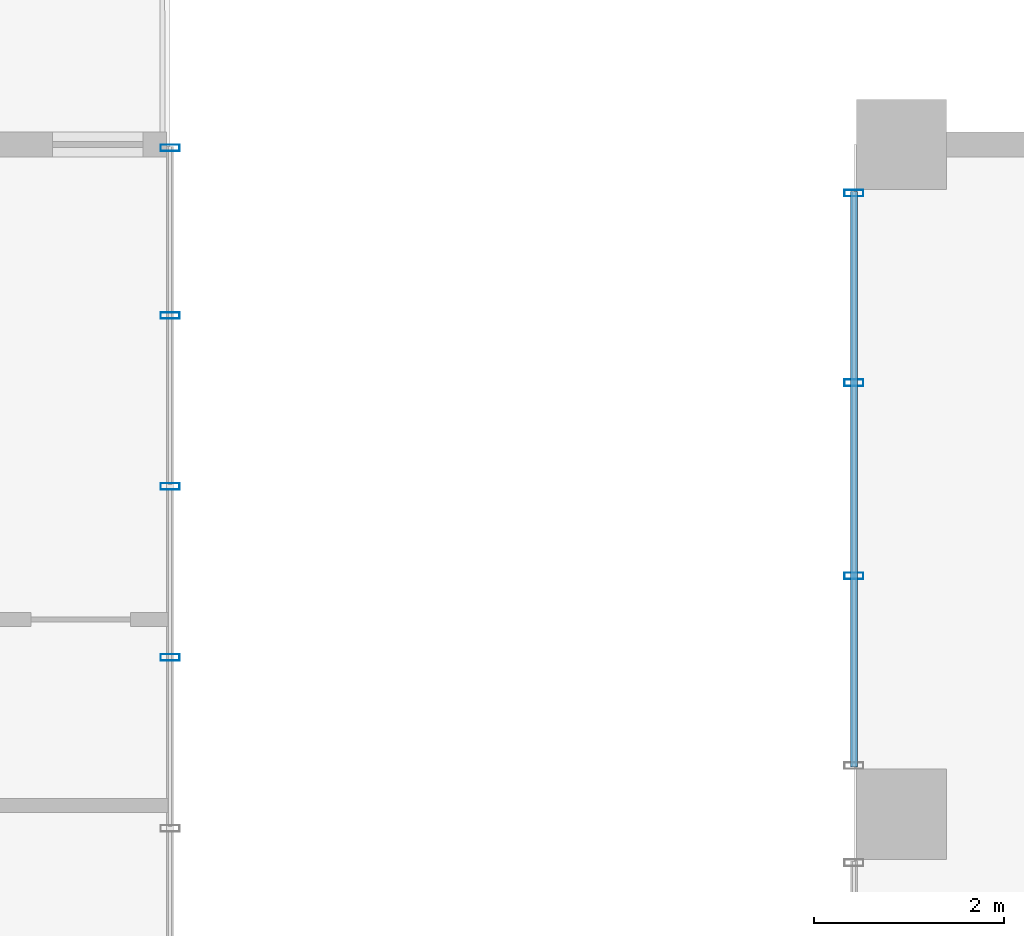
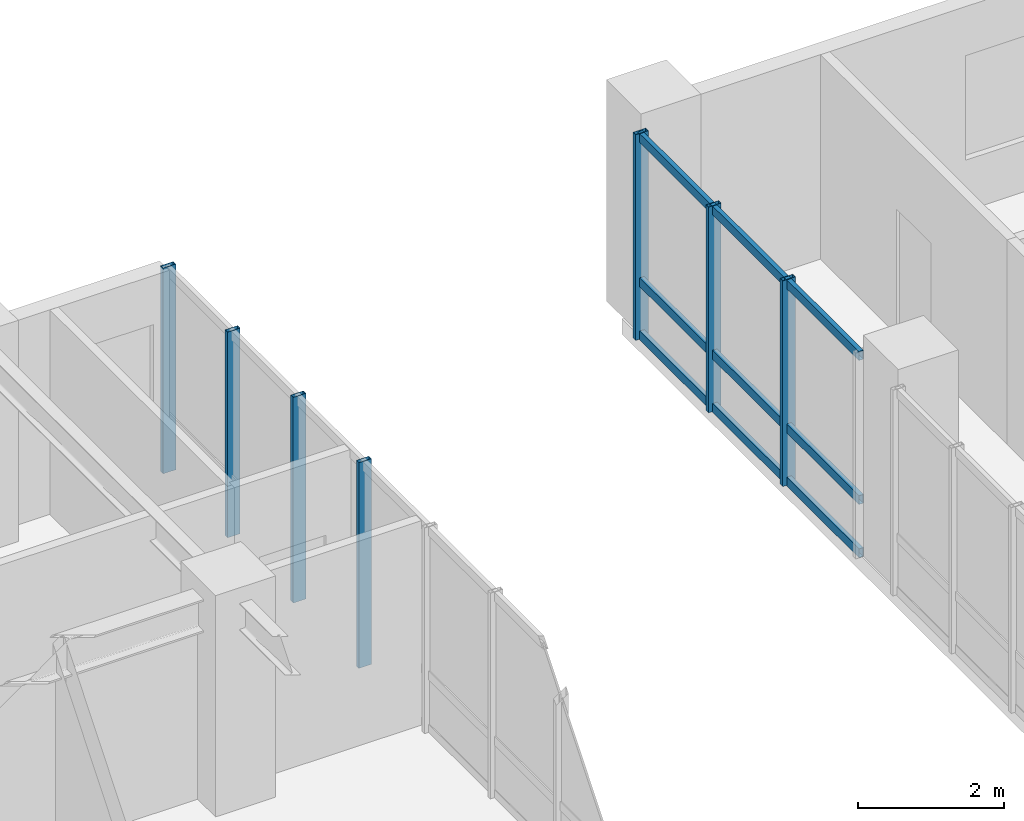
# One storey, part 14 of 24: 10 members, 2 elements without a shape of their own.
"""IFC4 building model written with IfcOpenShell, lengths in metres."""

from ifc_helpers import new_model, si_unit, direction, frame, origin, origin_2d, place, context, subcontext, project, spatial, hollow_rectangle, extrude, source, transform, mapped, material, layer, layer_set, material_profile, profile_set, type_object, element, aggregate, save


model = new_model("IFC4")

# Units and contexts
model_context = context("Model", 3, precision=1e-05, world=origin(), true_north=direction((0.0, 1.0)))
body_context = subcontext(model_context, "Body", "Model", "MODEL_VIEW")
ifc_project = project(units=[si_unit("LENGTHUNIT", "METRE"), si_unit("AREAUNIT", "SQUARE_METRE"), si_unit("VOLUMEUNIT", "CUBIC_METRE"), si_unit("PLANEANGLEUNIT", "RADIAN"), si_unit("MASSUNIT", "GRAM", prefix="KILO")], contexts=[model_context])

# Site, building, storey
site_placement = place(None, origin())
site = spatial("IfcSite", under=ifc_project, at=site_placement, CompositionType="ELEMENT")
building_placement = place(site_placement, origin())
building = spatial("IfcBuilding", under=site, at=building_placement, Name="Kaliganga Portal Commons", CompositionType="ELEMENT")
storey_placement = place(building_placement, frame((0.0, 0.0, 235.10009765625)))
storey = spatial("IfcBuildingStorey", under=building, at=storey_placement, Name="L60", CompositionType="ELEMENT", Elevation=235.10009765625)

# Curtain wall, members
ifc_material_1 = material(Name="Anodized Aluminium and Laminated Low-E Glass", Category="aluminium")
ifc_layer = layer(ifc_material_1, 0.239990234375)
ifc_layer_set = layer_set([ifc_layer], Name="Anodized Aluminium and Laminated Low-E Glass")
curtain_wall_type = type_object("IfcCurtainWallType", Name="CW-SYS-04", PredefinedType="NOTDEFINED", material=ifc_layer_set)
curtain_wall_1_placement = place(storey_placement, origin())
curtain_wall_1 = element("IfcCurtainWall", 1, at=curtain_wall_1_placement, inside=storey, type_object=curtain_wall_type, Name="CW 04 L60 P1E01S1", PredefinedType="NOTDEFINED")
ifc_material_2 = material(Name="Dark Bronze Anodized Aluminium", Category="aluminium")
ifc_material_profile_1 = material_profile(ifc_material_2, hollow_rectangle(XDim=0.070068359375, YDim=0.199951171875, WallThickness=0.00390625, at=origin_2d()), Name="ALU MULL 70x200x4")
ifc_profile_set_1 = profile_set([ifc_material_profile_1], Name="Dark Bronze Anodized Aluminium")
member_type_1 = type_object("IfcMemberType", Name="CW-MUL-220", PredefinedType="MULLION", material=ifc_profile_set_1)
shared_shape_1 = source(origin(), body_context, "Body", "SweptSolid", [
    extrude(hollow_rectangle(XDim=0.070068359375, YDim=0.199951171875, WallThickness=0.00390625, at=origin_2d()), origin(), (0.0, 0.0, 1.0), 3.43994140625),
])
member_1_placement = place(storey_placement, frame((39.10009765625, 37.800048828125, 0.0), z_axis=(0.0, 0.0, 1.0), x_axis=(0.0, 1.0, 0.0)))
member_1 = element("IfcMember", 2, at=member_1_placement, type_object=member_type_1, Name="CW:04:L60:P1E01S1 Mullion 09", PredefinedType="MULLION", context=body_context, shape_type="MappedRepresentation", body=[
    mapped(shared_shape_1, transform((0.0, 0.0, 0.0), x_axis=(1.0, 0.0, 0.0), y_axis=(0.0, 1.0, 0.0), z_axis=(0.0, 0.0, 1.0), scale=1.0)),
])
member_2_placement = place(storey_placement, frame((39.10009765625, 39.60009765625, 0.0), z_axis=(0.0, 0.0, 1.0), x_axis=(0.0, 1.0, 0.0)))
member_2 = element("IfcMember", 3, at=member_2_placement, type_object=member_type_1, Name="CW:04:L60:P1E01S1 Mullion 10", PredefinedType="MULLION", context=body_context, shape_type="MappedRepresentation", body=[
    mapped(shared_shape_1, transform((0.0, 0.0, 0.0), x_axis=(1.0, 0.0, 0.0), y_axis=(0.0, 1.0, 0.0), z_axis=(0.0, 0.0, 1.0), scale=1.0)),
])
member_3_placement = place(storey_placement, frame((39.10009765625, 41.39990234375, 0.0), z_axis=(0.0, 0.0, 1.0), x_axis=(0.0, 1.0, 0.0)))
member_3 = element("IfcMember", 4, at=member_3_placement, type_object=member_type_1, Name="CW:04:L60:P1E01S1 Mullion 11", PredefinedType="MULLION", context=body_context, shape_type="MappedRepresentation", body=[
    mapped(shared_shape_1, transform((0.0, 0.0, 0.0), x_axis=(1.0, 0.0, 0.0), y_axis=(0.0, 1.0, 0.0), z_axis=(0.0, 0.0, 1.0), scale=1.0)),
])
member_4_placement = place(storey_placement, frame((39.10009765625, 43.1650390625, 0.0), z_axis=(0.0, 0.0, 1.0), x_axis=(0.0, 1.0, 0.0)))
member_4 = element("IfcMember", 5, at=member_4_placement, type_object=member_type_1, Name="CW:04:L60:P1E01S1 Mullion 12", PredefinedType="MULLION", context=body_context, shape_type="MappedRepresentation", body=[
    mapped(shared_shape_1, transform((0.0, 0.0, 0.0), x_axis=(1.0, 0.0, 0.0), y_axis=(0.0, 1.0, 0.0), z_axis=(0.0, 0.0, 1.0), scale=1.0)),
])
aggregate(curtain_wall_1, [member_1, member_2, member_3, member_4])

curtain_wall_2_placement = place(storey_placement, origin())
curtain_wall_2 = element("IfcCurtainWall", 6, at=curtain_wall_2_placement, inside=storey, type_object=curtain_wall_type, Name="CW 04 L60 P2E03S1", PredefinedType="NOTDEFINED")
member_5_placement = place(storey_placement, frame((46.300048828125, 42.68896484375, 0.0), z_axis=(0.0, 0.0, 1.0), x_axis=(0.0, -1.0, 0.0)))
member_5 = element("IfcMember", 7, at=member_5_placement, type_object=member_type_1, Name="CW:04:L60:P2E03S1 Mullion 00", PredefinedType="MULLION", context=body_context, shape_type="MappedRepresentation", body=[
    mapped(shared_shape_1, transform((0.0, 0.0, 0.0), x_axis=(1.0, 0.0, 0.0), y_axis=(0.0, 1.0, 0.0), z_axis=(0.0, 0.0, 1.0), scale=1.0)),
])
member_6_placement = place(storey_placement, frame((46.300048828125, 40.69140625, 0.0), z_axis=(0.0, 0.0, 1.0), x_axis=(0.0, -1.0, 0.0)))
member_6 = element("IfcMember", 8, at=member_6_placement, type_object=member_type_1, Name="CW:04:L60:P2E03S1 Mullion 01", PredefinedType="MULLION", context=body_context, shape_type="MappedRepresentation", body=[
    mapped(shared_shape_1, transform((0.0, 0.0, 0.0), x_axis=(1.0, 0.0, 0.0), y_axis=(0.0, 1.0, 0.0), z_axis=(0.0, 0.0, 1.0), scale=1.0)),
])
member_7_placement = place(storey_placement, frame((46.300048828125, 38.65869140625, 0.0), z_axis=(0.0, 0.0, 1.0), x_axis=(0.0, -1.0, 0.0)))
member_7 = element("IfcMember", 9, at=member_7_placement, type_object=member_type_1, Name="CW:04:L60:P2E03S1 Mullion 02", PredefinedType="MULLION", context=body_context, shape_type="MappedRepresentation", body=[
    mapped(shared_shape_1, transform((0.0, 0.0, 0.0), x_axis=(1.0, 0.0, 0.0), y_axis=(0.0, 1.0, 0.0), z_axis=(0.0, 0.0, 1.0), scale=1.0)),
])
ifc_material_profile_2 = material_profile(ifc_material_2, hollow_rectangle(XDim=0.070068359375, YDim=0.14990234375, WallThickness=0.00341796875, at=origin_2d()), Name="ALU TRAN 70x150x3.5")
ifc_profile_set_2 = profile_set([ifc_material_profile_2], Name="Dark Bronze Anodized Aluminium")
member_type_2 = type_object("IfcMemberType", Name="CW-TRN-150", PredefinedType="USERDEFINED", material=ifc_profile_set_2)
shared_shape_2 = source(origin(), body_context, "Body", "SweptSolid", [
    extrude(hollow_rectangle(XDim=0.070068359375, YDim=0.14990234375, WallThickness=0.00341796875, at=origin_2d()), origin(), (0.0, 0.0, 1.0), 6.05810546875),
])
member_8_placement = place(storey_placement, frame((46.300048828125, 42.7041015625, 0.059814453125), z_axis=(0.0, -1.0, 0.0), x_axis=(1.0, 0.0, 0.0)))
member_8 = element("IfcMember", 10, at=member_8_placement, type_object=member_type_2, Name="CW:04:L60:P2E03S1 Transom 1", ObjectType="TRANSOM", PredefinedType="USERDEFINED", context=body_context, shape_type="MappedRepresentation", body=[
    mapped(shared_shape_2, transform((0.0, 0.0, 0.0), x_axis=(1.0, 0.0, 0.0), y_axis=(0.0, 1.0, 0.0), z_axis=(0.0, 0.0, 1.0), scale=1.0)),
])
member_9_placement = place(storey_placement, frame((46.300048828125, 42.7041015625, 0.949951171875), z_axis=(0.0, -1.0, 0.0), x_axis=(1.0, 0.0, 0.0)))
member_9 = element("IfcMember", 11, at=member_9_placement, type_object=member_type_2, Name="CW:04:L60:P2E03S1 Transom 2", ObjectType="TRANSOM", PredefinedType="USERDEFINED", context=body_context, shape_type="MappedRepresentation", body=[
    mapped(shared_shape_2, transform((0.0, 0.0, 0.0), x_axis=(1.0, 0.0, 0.0), y_axis=(0.0, 1.0, 0.0), z_axis=(0.0, 0.0, 1.0), scale=1.0)),
])
member_10_placement = place(storey_placement, frame((46.300048828125, 42.7041015625, 3.35986328125), z_axis=(0.0, -1.0, 0.0), x_axis=(1.0, 0.0, 0.0)))
member_10 = element("IfcMember", 12, at=member_10_placement, type_object=member_type_2, Name="CW:04:L60:P2E03S1 Transom 3", ObjectType="TRANSOM", PredefinedType="USERDEFINED", context=body_context, shape_type="MappedRepresentation", body=[
    mapped(shared_shape_2, transform((0.0, 0.0, 0.0), x_axis=(1.0, 0.0, 0.0), y_axis=(0.0, 1.0, 0.0), z_axis=(0.0, 0.0, 1.0), scale=1.0)),
])
aggregate(curtain_wall_2, [member_5, member_6, member_7, member_8, member_9, member_10])

save(model, "model.ifc")
